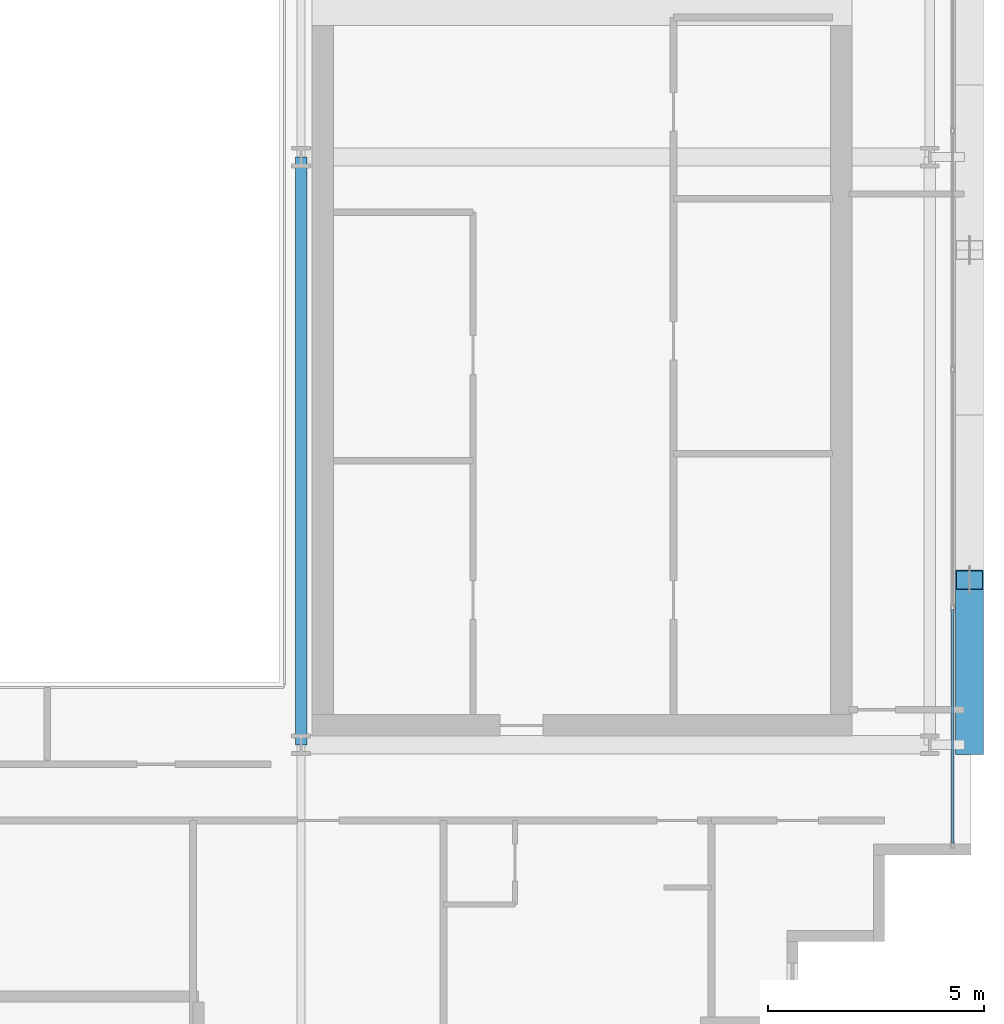
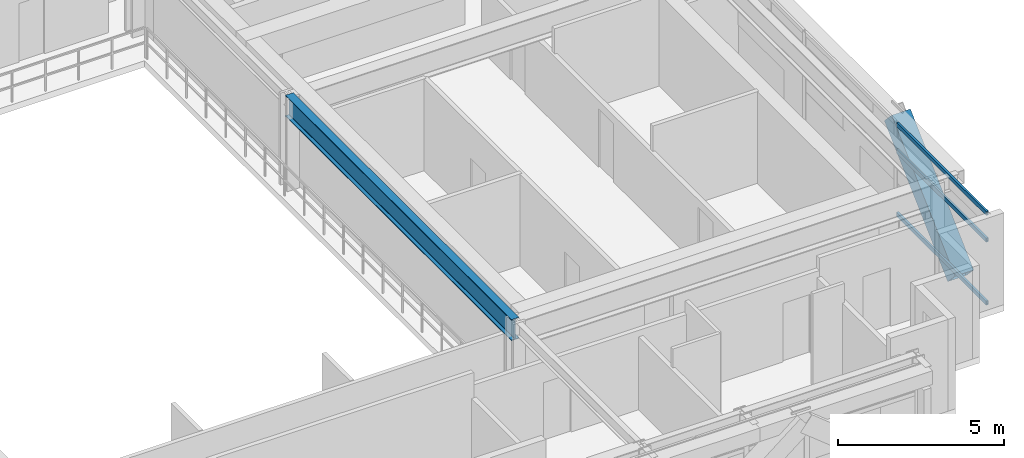
# One storey, part 11 of 31: 4 members, 1 beam, 1 element without a shape of its own.
"""IFC4 building model written with IfcOpenShell, lengths in metres."""

from ifc_helpers import new_model, si_unit, direction, frame, origin, origin_2d, place, context, subcontext, project, spatial, hollow_rectangle, i_section, extrude, source, transform, mapped, material, layer, layer_set, material_profile, profile_set, type_object, element, aggregate, save


model = new_model("IFC4")

# Units and contexts
model_context = context("Model", 3, precision=1e-05, world=origin(), true_north=direction((0.0, 1.0)))
body_context = subcontext(model_context, "Body", "Model", "MODEL_VIEW")
ifc_project = project(units=[si_unit("LENGTHUNIT", "METRE"), si_unit("AREAUNIT", "SQUARE_METRE"), si_unit("VOLUMEUNIT", "CUBIC_METRE"), si_unit("PLANEANGLEUNIT", "RADIAN"), si_unit("MASSUNIT", "GRAM", prefix="KILO")], contexts=[model_context])

# Site, building, storey
site_placement = place(None, origin())
site = spatial("IfcSite", under=ifc_project, at=site_placement, CompositionType="ELEMENT")
building_placement = place(site_placement, origin())
building = spatial("IfcBuilding", under=site, at=building_placement, Name="Ocotamira Hotel", CompositionType="ELEMENT")
storey_placement = place(building_placement, frame((0.0, 0.0, 188.39990234375)))
storey = spatial("IfcBuildingStorey", under=building, at=storey_placement, Name="L47", CompositionType="ELEMENT", Elevation=188.39990234375)

# Beam
ifc_material_1 = material(Name="Steel ASTM A992 Grade 50", Category="steel")
ifc_material_profile_1 = material_profile(ifc_material_1, i_section(OverallWidth=0.26611328125, OverallDepth=0.779052734375, WebThickness=0.0166015625, FlangeThickness=0.030029296875, FilletRadius=0.01806640625, at=origin_2d()), Name="W30X148")
ifc_profile_set_1 = profile_set([ifc_material_profile_1], Name="Steel ASTM A992 Grade 50")
beam_type = type_object("IfcBeamType", Name="BM-GIRD-W30X148", PredefinedType="BEAM", material=ifc_profile_set_1)
shared_shape_1 = source(origin(), body_context, "Body", "SweptSolid", [
    extrude(i_section(OverallWidth=0.26611328125, OverallDepth=0.779052734375, WebThickness=0.0166015625, FlangeThickness=0.030029296875, FilletRadius=0.01806640625, at=origin_2d()), origin(), (0.0, 0.0, 1.0), 13.599853515625),
])
beam_placement = place(storey_placement, frame((40.5, 14.550048828125, 2.980712890625), z_axis=(0.0, 1.0, 0.0), x_axis=(-1.0, 0.0, 0.0)))
element("IfcBeam", 1, at=beam_placement, inside=storey, type_object=beam_type, Name="L47 Beam X40.5 Y14.55-28.15", PredefinedType="BEAM", context=body_context, shape_type="MappedRepresentation", body=[
    mapped(shared_shape_1, transform((0.0, 0.0, 0.0), scale=1.0)),
])

# Member
ifc_material_2 = material(Name="Pale-metal coated steel ASTM A913 Grade 65", Category="steel")
ifc_material_profile_2 = material_profile(ifc_material_2, hollow_rectangle(XDim=0.64990234375, YDim=0.64990234375, WallThickness=0.02197265625, at=origin_2d()), Name="BOX650X650X22")
ifc_profile_set_2 = profile_set([ifc_material_profile_2], Name="Pale-metal coated steel ASTM A913 Grade 65")
member_type_1 = type_object("IfcMemberType", Name="MEM-EXO-BOX650", PredefinedType="BRACE", material=ifc_profile_set_2)
shared_shape_2 = source(origin(), body_context, "Body", "SweptSolid", [
    extrude(hollow_rectangle(XDim=0.64990234375, YDim=0.64990234375, WallThickness=0.02197265625, at=origin_2d()), origin(), (0.0, 0.0, 1.0), 5.24658203125),
])
member_1_placement = place(storey_placement, frame((55.969970703125, 14.550048828125, -0.47998046875), z_axis=(0.0, 0.727442733726, 0.686168397078), x_axis=(-1.0, 0.0, 0.0)))
element("IfcMember", 2, at=member_1_placement, inside=storey, type_object=member_type_1, Name="L47 Exoskeleton Diagrid E0.1", PredefinedType="BRACE", context=body_context, shape_type="MappedRepresentation", body=[
    mapped(shared_shape_2, transform((0.0, 0.0, 0.0), scale=1.0)),
])

# Curtain wall, members
ifc_material_3 = material(Name="Anodised pale-metal aluminium and solar glass", Category="aluminium")
ifc_layer = layer(ifc_material_3, 0.199951171875)
ifc_layer_set = layer_set([ifc_layer], Name="Anodised pale-metal aluminium and solar glass")
curtain_wall_type = type_object("IfcCurtainWallType", Name="CW-SYS4-Z3", PredefinedType="NOTDEFINED", material=ifc_layer_set)
curtain_wall_placement = place(storey_placement, origin())
curtain_wall = element("IfcCurtainWall", 3, at=curtain_wall_placement, inside=storey, type_object=curtain_wall_type, Name="L47 Curtain Wall CW-4 CW-L47-E", PredefinedType="NOTDEFINED")
ifc_material_4 = material(Name="Anodised pale-metal aluminium 6063-T6", Category="aluminium")
ifc_material_profile_3 = material_profile(ifc_material_4, hollow_rectangle(XDim=0.074951171875, YDim=0.14990234375, WallThickness=0.006103515625, at=origin_2d()), Name="HSS150X75X6")
ifc_profile_set_3 = profile_set([ifc_material_profile_3], Name="Anodised pale-metal aluminium 6063-T6")
member_type_2 = type_object("IfcMemberType", Name="CWT-150X75", PredefinedType="USERDEFINED", material=ifc_profile_set_3)
shared_shape_3 = source(origin(), body_context, "Body", "SweptSolid", [
    extrude(hollow_rectangle(XDim=0.074951171875, YDim=0.14990234375, WallThickness=0.006103515625, at=origin_2d()), origin(), (0.0, 0.0, 1.0), 5.39990234375),
])
member_2_placement = place(storey_placement, frame((55.580078125, 12.280029296875, 0.03759765625), z_axis=(0.0, 1.0, 0.0), x_axis=(-1.0, 0.0, 0.0)))
member_2 = element("IfcMember", 4, at=member_2_placement, type_object=member_type_2, Name="CW-4 transom 1.1", ObjectType="TRANSOM", PredefinedType="USERDEFINED", context=body_context, shape_type="MappedRepresentation", body=[
    mapped(shared_shape_3, transform((0.0, 0.0, 0.0), scale=1.0)),
])
member_3_placement = place(storey_placement, frame((55.580078125, 12.280029296875, 2.35009765625), z_axis=(0.0, 1.0, 0.0), x_axis=(-1.0, 0.0, 0.0)))
member_3 = element("IfcMember", 5, at=member_3_placement, type_object=member_type_2, Name="CW-4 transom 1.2", ObjectType="TRANSOM", PredefinedType="USERDEFINED", context=body_context, shape_type="MappedRepresentation", body=[
    mapped(shared_shape_3, transform((0.0, 0.0, 0.0), scale=1.0)),
])
member_4_placement = place(storey_placement, frame((55.580078125, 12.280029296875, 3.33251953125), z_axis=(0.0, 1.0, 0.0), x_axis=(-1.0, 0.0, 0.0)))
member_4 = element("IfcMember", 6, at=member_4_placement, type_object=member_type_2, Name="CW-4 transom 1.3", ObjectType="TRANSOM", PredefinedType="USERDEFINED", context=body_context, shape_type="MappedRepresentation", body=[
    mapped(shared_shape_3, transform((0.0, 0.0, 0.0), scale=1.0)),
])
aggregate(curtain_wall, [member_2, member_3, member_4])

save(model, "model.ifc")
